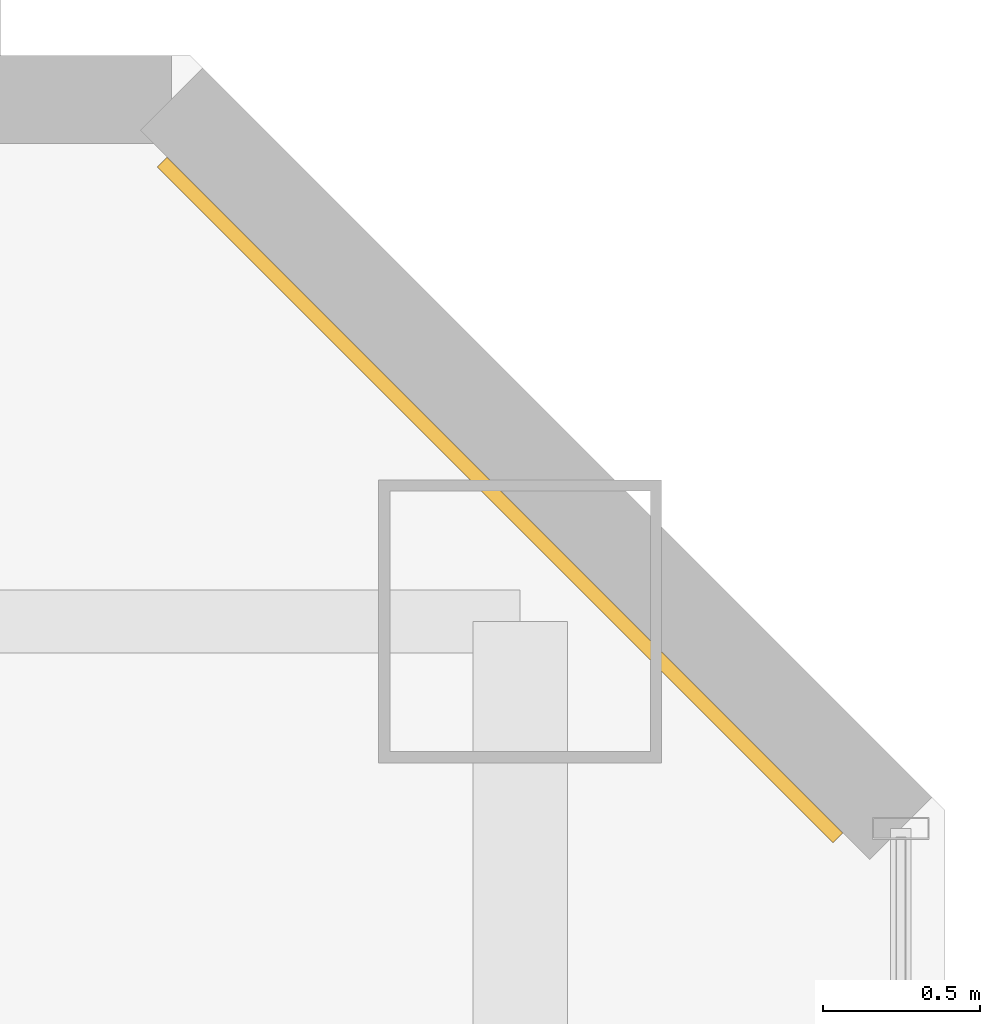
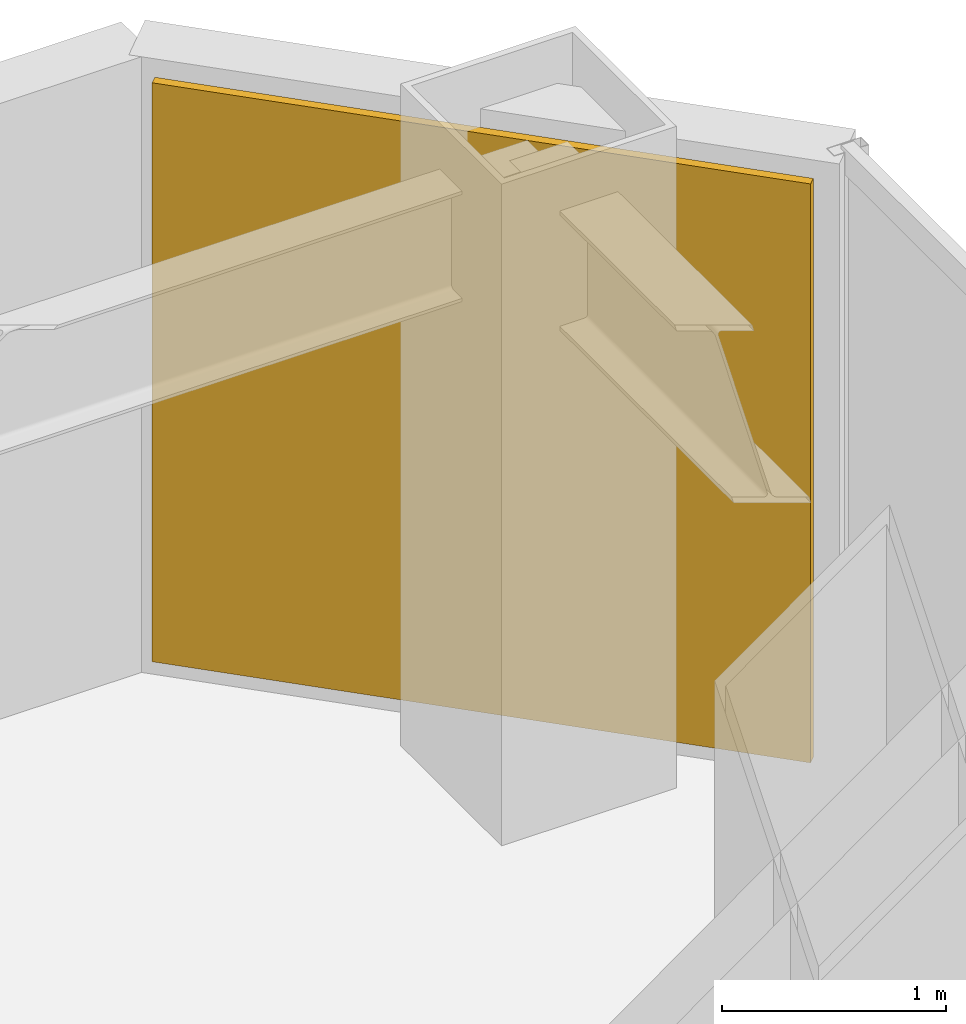
# One storey, part 31 of 31: 1 covering.
"""IFC4 building model written with IfcOpenShell, lengths in metres."""

from ifc_helpers import new_model, si_unit, direction, frame, origin, origin_2d, place, context, subcontext, project, spatial, rectangle, extrude, material, layer, layer_set, type_object, element, save


model = new_model("IFC4")

# Units and contexts
model_context = context("Model", 3, precision=1e-05, world=origin(), true_north=direction((0.0, 1.0)))
body_context = subcontext(model_context, "Body", "Model", "MODEL_VIEW")
ifc_project = project(units=[si_unit("LENGTHUNIT", "METRE"), si_unit("AREAUNIT", "SQUARE_METRE"), si_unit("VOLUMEUNIT", "CUBIC_METRE"), si_unit("PLANEANGLEUNIT", "RADIAN"), si_unit("MASSUNIT", "GRAM", prefix="KILO")], contexts=[model_context])

# Site, building, storey
site_placement = place(None, origin())
site = spatial("IfcSite", under=ifc_project, at=site_placement, CompositionType="ELEMENT")
building_placement = place(site_placement, origin())
building = spatial("IfcBuilding", under=site, at=building_placement, Name="Hatsunagi Terrace Concourse", CompositionType="ELEMENT")
storey_placement = place(building_placement, frame((0.0, 0.0, 122.85009765625)))
storey = spatial("IfcBuildingStorey", under=building, at=storey_placement, Name="L32", CompositionType="ELEMENT", Elevation=122.85009765625)

# Covering
ifc_material = material(Name="Unglazed Warm Terracotta Rainscreen Tile", Category="masonry")
ifc_layer = layer(ifc_material, 0.044921875)
ifc_layer_set = layer_set([ifc_layer], Name="TerracottaRainscreenCladding_45")
covering_type = type_object("IfcCoveringType", Name="TerracottaRainscreenCladding_45", PredefinedType="CLADDING", material=ifc_layer_set)
covering_placement = place(storey_placement, frame((43.5859375, 48.986083984375, 0.099853515625), z_axis=(0.0, 0.0, 1.0), x_axis=(0.707106781187, -0.707106781187, 0.0)))
element("IfcCovering", 1, at=covering_placement, inside=storey, type_object=covering_type, Name="Terracotta Rainscreen Cladding L32-12", PredefinedType="CLADDING", context=body_context, shape_type="SweptSolid", body=[
    extrude(rectangle(XDim=3.0380859375, YDim=0.044921875, at=origin_2d()), origin(), (0.0, 0.0, 1.0), 3.14990234375),
])

save(model, "model.ifc")
